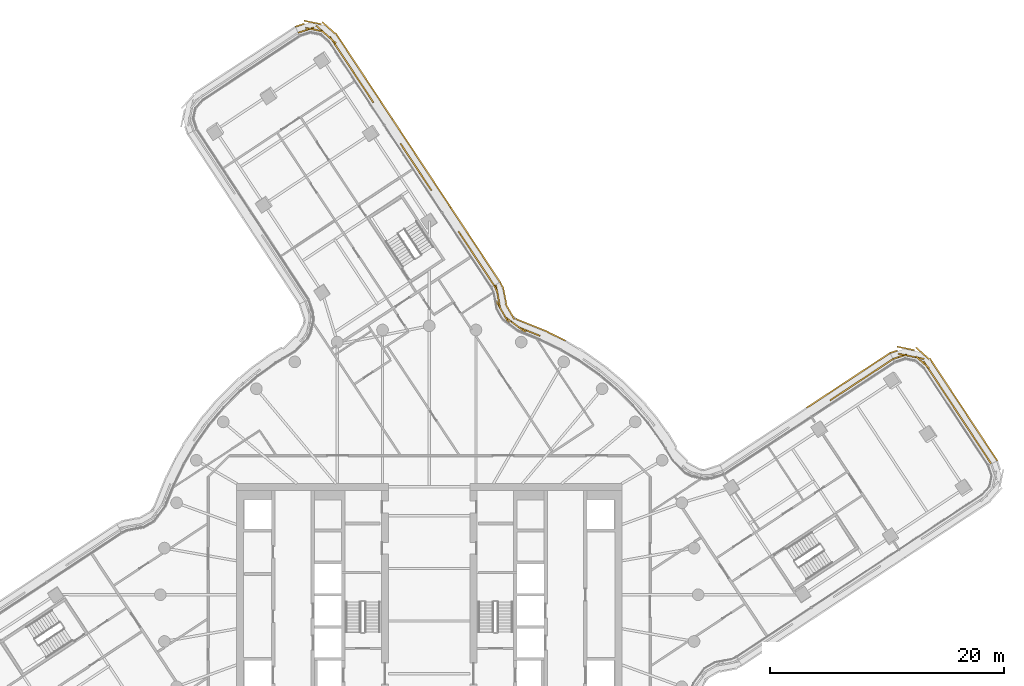
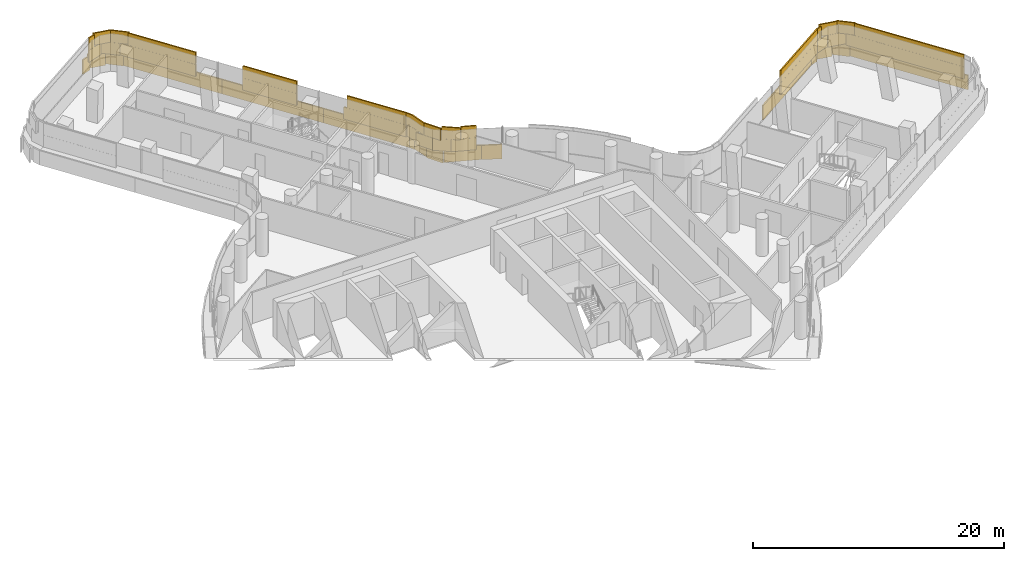
# One storey, part 35 of 35: 6 coverings.
"""IFC4 building model written with IfcOpenShell, lengths in metres."""

from ifc_helpers import new_model, si_unit, direction, frame, origin, origin_2d, place, context, subcontext, project, spatial, rectangle, extrude, material, layer, layer_set, type_object, element, save


model = new_model("IFC4")

# Units and contexts
model_context = context("Model", 3, precision=1e-05, world=origin(), true_north=direction((0.0, 1.0)))
body_context = subcontext(model_context, "Body", "Model", "MODEL_VIEW")
ifc_project = project(units=[si_unit("LENGTHUNIT", "METRE"), si_unit("AREAUNIT", "SQUARE_METRE"), si_unit("VOLUMEUNIT", "CUBIC_METRE"), si_unit("PLANEANGLEUNIT", "RADIAN"), si_unit("MASSUNIT", "GRAM", prefix="KILO")], contexts=[model_context])

# Site, building, storey
site_placement = place(None, origin())
site = spatial("IfcSite", under=ifc_project, at=site_placement, CompositionType="ELEMENT")
building_placement = place(site_placement, origin())
building = spatial("IfcBuilding", under=site, at=building_placement, Name="Tamarind Cross Interchange Tower", CompositionType="ELEMENT")
storey_placement = place(building_placement, frame((0.0, 0.0, 155.5)))
storey = spatial("IfcBuildingStorey", under=building, at=storey_placement, Name="L38", CompositionType="ELEMENT", Elevation=155.5)

# Coverings
ifc_material = material(Name="Terracotta", Category="masonry")
ifc_layer = layer(ifc_material, 0.1201171875)
ifc_layer_set = layer_set([ifc_layer], Name="Terracotta")
covering_type = type_object("IfcCoveringType", Name="Terracotta baguette screen unit", PredefinedType="MOLDING", material=ifc_layer_set)
covering_1_placement = place(storey_placement, origin())
element("IfcCovering", 1, at=covering_1_placement, inside=storey, type_object=covering_type, Name="SCR-L38-12-00", PredefinedType="MOLDING", context=body_context, shape_type="SweptSolid", body=[
    extrude(rectangle(XDim=1.510009765625, YDim=0.1201171875, at=origin_2d()), frame((47.65625, 11.831787109375, 1.404052734375), z_axis=(0.0, 0.0, 1.0), x_axis=(-0.550970225759, 0.834524900963, 0.0)), (0.0, 0.0, 1.0), 1.1669921875),
    extrude(rectangle(XDim=1.52001953125, YDim=0.1201171875, at=origin_2d()), frame((46.829833984375, 13.083740234375, 1.404052734375), z_axis=(0.0, 0.0, 1.0), x_axis=(-0.550970225759, 0.834524900963, 0.0)), (0.0, 0.0, 1.0), 1.1669921875),
    extrude(rectangle(XDim=1.52001953125, YDim=0.1201171875, at=origin_2d()), frame((46.00341796875, 14.33544921875, 1.404052734375), z_axis=(0.0, 0.0, 1.0), x_axis=(-0.550970225759, 0.834524900963, 0.0)), (0.0, 0.0, 1.0), 1.1669921875),
    extrude(rectangle(XDim=1.52001953125, YDim=0.1201171875, at=origin_2d()), frame((45.1767578125, 15.587158203125, 1.404052734375), z_axis=(0.0, 0.0, 1.0), x_axis=(-0.550970225759, 0.834524900963, 0.0)), (0.0, 0.0, 1.0), 1.1669921875),
    extrude(rectangle(XDim=1.52001953125, YDim=0.1201171875, at=origin_2d()), frame((44.350341796875, 16.8388671875, 1.404052734375), z_axis=(0.0, 0.0, 1.0), x_axis=(-0.550970225759, 0.834524900963, 0.0)), (0.0, 0.0, 1.0), 1.1669921875),
    extrude(rectangle(XDim=1.52001953125, YDim=0.1201171875, at=origin_2d()), frame((43.52392578125, 18.0908203125, 1.404052734375), z_axis=(0.0, 0.0, 1.0), x_axis=(-0.550970225759, 0.834524900963, 0.0)), (0.0, 0.0, 1.0), 1.1669921875),
    extrude(rectangle(XDim=1.52001953125, YDim=0.1201171875, at=origin_2d()), frame((42.697509765625, 19.342529296875, 1.404052734375), z_axis=(0.0, 0.0, 1.0), x_axis=(-0.550970225759, 0.834524900963, 0.0)), (0.0, 0.0, 1.0), 1.1669921875),
    extrude(rectangle(XDim=1.52001953125, YDim=0.1201171875, at=origin_2d()), frame((41.59326171875, 20.312744140625, 1.404052734375), z_axis=(0.0, 0.0, 1.0), x_axis=(-0.979692999406, 0.200503433674, 0.0)), (0.0, 0.0, 1.0), 1.1669921875),
    extrude(rectangle(XDim=1.259521484375, YDim=0.1201171875, at=origin_2d()), frame((40.26025390625, 20.35791015625, 1.404052734375), z_axis=(0.0, 0.0, 1.0), x_axis=(-0.948690742232, -0.316205432595, 0.0)), (0.0, 0.0, 1.0), 1.1669921875),
    extrude(rectangle(XDim=0.760009765625, YDim=0.1201171875, at=origin_2d()), frame((47.86279296875, 11.518798828125, 2.5791015625), z_axis=(0.0, 0.0, 1.0), x_axis=(-0.550970225759, 0.834524900963, 0.0)), (0.0, 0.0, 1.0), 1.1669921875),
    extrude(rectangle(XDim=1.52001953125, YDim=0.1201171875, at=origin_2d()), frame((47.242919921875, 12.457763671875, 2.5791015625), z_axis=(0.0, 0.0, 1.0), x_axis=(-0.550970225759, 0.834524900963, 0.0)), (0.0, 0.0, 1.0), 1.1669921875),
    extrude(rectangle(XDim=1.52001953125, YDim=0.1201171875, at=origin_2d()), frame((46.41650390625, 13.70947265625, 2.5791015625), z_axis=(0.0, 0.0, 1.0), x_axis=(-0.550970225759, 0.834524900963, 0.0)), (0.0, 0.0, 1.0), 1.1669921875),
    extrude(rectangle(XDim=1.52001953125, YDim=0.1201171875, at=origin_2d()), frame((45.590087890625, 14.96142578125, 2.5791015625), z_axis=(0.0, 0.0, 1.0), x_axis=(-0.550970225759, 0.834524900963, 0.0)), (0.0, 0.0, 1.0), 1.1669921875),
    extrude(rectangle(XDim=1.52001953125, YDim=0.1201171875, at=origin_2d()), frame((44.763671875, 16.213134765625, 2.5791015625), z_axis=(0.0, 0.0, 1.0), x_axis=(-0.550970225759, 0.834524900963, 0.0)), (0.0, 0.0, 1.0), 1.1669921875),
    extrude(rectangle(XDim=1.52001953125, YDim=0.1201171875, at=origin_2d()), frame((43.937255859375, 17.46484375, 2.5791015625), z_axis=(0.0, 0.0, 1.0), x_axis=(-0.550970225759, 0.834524900963, 0.0)), (0.0, 0.0, 1.0), 1.1669921875),
    extrude(rectangle(XDim=1.52001953125, YDim=0.1201171875, at=origin_2d()), frame((43.110595703125, 18.716552734375, 2.5791015625), z_axis=(0.0, 0.0, 1.0), x_axis=(-0.550970225759, 0.834524900963, 0.0)), (0.0, 0.0, 1.0), 1.1669921875),
    extrude(rectangle(XDim=1.52001953125, YDim=0.1201171875, at=origin_2d()), frame((42.1904296875, 19.886962890625, 2.5791015625), z_axis=(0.0, 0.0, 1.0), x_axis=(-0.748187308558, 0.663487566811, 0.0)), (0.0, 0.0, 1.0), 1.1669921875),
    extrude(rectangle(XDim=1.52001953125, YDim=0.1201171875, at=origin_2d()), frame((40.8583984375, 20.463134765625, 2.5791015625), z_axis=(0.0, 0.0, 1.0), x_axis=(-0.979692999406, 0.200503433674, 0.0)), (0.0, 0.0, 1.0), 1.1669921875),
    extrude(rectangle(XDim=0.509521484375, YDim=0.1201171875, at=origin_2d()), frame((39.904541015625, 20.2392578125, 2.5791015625), z_axis=(0.0, 0.0, 1.0), x_axis=(-0.948690742232, -0.316205432595, 0.0)), (0.0, 0.0, 1.0), 1.1669921875),
    extrude(rectangle(XDim=1.510009765625, YDim=0.1201171875, at=origin_2d()), frame((48.174072265625, 12.089111328125, 0.00390625), z_axis=(0.0, 0.0, 1.0), x_axis=(-0.550970225759, 0.834524900963, 0.0)), (0.0, 0.0, 1.0), 1.39208984375),
    extrude(rectangle(XDim=1.52001953125, YDim=0.1201171875, at=origin_2d()), frame((47.350341796875, 13.3369140625, 0.00390625), z_axis=(0.0, 0.0, 1.0), x_axis=(-0.550970225759, 0.834524900963, 0.0)), (0.0, 0.0, 1.0), 1.39208984375),
    extrude(rectangle(XDim=1.52001953125, YDim=0.1201171875, at=origin_2d()), frame((46.52392578125, 14.588623046875, 0.00390625), z_axis=(0.0, 0.0, 1.0), x_axis=(-0.550970225759, 0.834524900963, 0.0)), (0.0, 0.0, 1.0), 1.39208984375),
    extrude(rectangle(XDim=1.52001953125, YDim=0.1201171875, at=origin_2d()), frame((45.697509765625, 15.84033203125, 0.00390625), z_axis=(0.0, 0.0, 1.0), x_axis=(-0.550970225759, 0.834524900963, 0.0)), (0.0, 0.0, 1.0), 1.39208984375),
    extrude(rectangle(XDim=1.52001953125, YDim=0.1201171875, at=origin_2d()), frame((44.87109375, 17.09228515625, 0.00390625), z_axis=(0.0, 0.0, 1.0), x_axis=(-0.550970225759, 0.834524900963, 0.0)), (0.0, 0.0, 1.0), 1.39208984375),
    extrude(rectangle(XDim=1.52001953125, YDim=0.1201171875, at=origin_2d()), frame((44.044677734375, 18.343994140625, 0.00390625), z_axis=(0.0, 0.0, 1.0), x_axis=(-0.550970225759, 0.834524900963, 0.0)), (0.0, 0.0, 1.0), 1.39208984375),
    extrude(rectangle(XDim=1.52001953125, YDim=0.1201171875, at=origin_2d()), frame((43.218017578125, 19.595703125, 0.00390625), z_axis=(0.0, 0.0, 1.0), x_axis=(-0.550970225759, 0.834524900963, 0.0)), (0.0, 0.0, 1.0), 1.39208984375),
    extrude(rectangle(XDim=1.52001953125, YDim=0.1201171875, at=origin_2d()), frame((42.1796875, 20.66357421875, 0.00390625), z_axis=(0.0, 0.0, 1.0), x_axis=(-0.748187308558, 0.663487566811, 0.0)), (0.0, 0.0, 1.0), 1.39208984375),
    extrude(rectangle(XDim=1.52001953125, YDim=0.1201171875, at=origin_2d()), frame((40.76220703125, 21.06884765625, 0.00390625), z_axis=(0.0, 0.0, 1.0), x_axis=(-0.979692999406, 0.200503433674, 0.0)), (0.0, 0.0, 1.0), 1.39208984375),
    extrude(rectangle(XDim=0.676513671875, YDim=0.1201171875, at=origin_2d()), frame((39.73583984375, 20.7880859375, 0.00390625), z_axis=(0.0, 0.0, 1.0), x_axis=(-0.948690742232, -0.316205432595, 0.0)), (0.0, 0.0, 1.0), 1.39208984375),
])
covering_2_placement = place(storey_placement, origin())
element("IfcCovering", 2, at=covering_2_placement, inside=storey, type_object=covering_type, Name="SCR-L38-13-00", PredefinedType="MOLDING", context=body_context, shape_type="SweptSolid", body=[
    extrude(rectangle(XDim=1.510009765625, YDim=0.1201171875, at=origin_2d()), frame((39.040771484375, 19.748291015625, 1.404052734375), z_axis=(0.0, 0.0, 1.0), x_axis=(-0.835659570214, -0.549247742562, 0.0)), (0.0, 0.0, 1.0), 1.1669921875),
    extrude(rectangle(XDim=1.52001953125, YDim=0.1201171875, at=origin_2d()), frame((37.787353515625, 18.924560546875, 1.404052734375), z_axis=(0.0, 0.0, 1.0), x_axis=(-0.835659570214, -0.549247742562, 0.0)), (0.0, 0.0, 1.0), 1.1669921875),
    extrude(rectangle(XDim=1.52001953125, YDim=0.1201171875, at=origin_2d()), frame((36.53369140625, 18.1005859375, 1.404052734375), z_axis=(0.0, 0.0, 1.0), x_axis=(-0.835659570214, -0.549247742562, 0.0)), (0.0, 0.0, 1.0), 1.1669921875),
    extrude(rectangle(XDim=1.52001953125, YDim=0.1201171875, at=origin_2d()), frame((35.2802734375, 17.276611328125, 1.404052734375), z_axis=(0.0, 0.0, 1.0), x_axis=(-0.835659570214, -0.549247742562, 0.0)), (0.0, 0.0, 1.0), 1.1669921875),
    extrude(rectangle(XDim=0.449462890625, YDim=0.1201171875, at=origin_2d()), frame((34.469970703125, 16.744140625, 1.404052734375), z_axis=(0.0, 0.0, 1.0), x_axis=(-0.835659570214, -0.549247742562, 0.0)), (0.0, 0.0, 1.0), 1.1669921875),
    extrude(rectangle(XDim=0.760009765625, YDim=0.1201171875, at=origin_2d()), frame((39.354248046875, 19.954345703125, 2.5791015625), z_axis=(0.0, 0.0, 1.0), x_axis=(-0.835659570214, -0.549247742562, 0.0)), (0.0, 0.0, 1.0), 1.1669921875),
    extrude(rectangle(XDim=1.52001953125, YDim=0.1201171875, at=origin_2d()), frame((38.4140625, 19.33642578125, 2.5791015625), z_axis=(0.0, 0.0, 1.0), x_axis=(-0.835659570214, -0.549247742562, 0.0)), (0.0, 0.0, 1.0), 1.1669921875),
    extrude(rectangle(XDim=1.52001953125, YDim=0.1201171875, at=origin_2d()), frame((37.16064453125, 18.512451171875, 2.5791015625), z_axis=(0.0, 0.0, 1.0), x_axis=(-0.835659570214, -0.549247742562, 0.0)), (0.0, 0.0, 1.0), 1.1669921875),
    extrude(rectangle(XDim=1.52001953125, YDim=0.1201171875, at=origin_2d()), frame((35.906982421875, 17.688720703125, 2.5791015625), z_axis=(0.0, 0.0, 1.0), x_axis=(-0.835659570214, -0.549247742562, 0.0)), (0.0, 0.0, 1.0), 1.1669921875),
    extrude(rectangle(XDim=1.199462890625, YDim=0.1201171875, at=origin_2d()), frame((34.783203125, 16.949951171875, 2.5791015625), z_axis=(0.0, 0.0, 1.0), x_axis=(-0.835659570214, -0.549247742562, 0.0)), (0.0, 0.0, 1.0), 1.1669921875),
    extrude(rectangle(XDim=1.510009765625, YDim=0.1201171875, at=origin_2d()), frame((38.783935546875, 20.266357421875, 0.00390625), z_axis=(0.0, 0.0, 1.0), x_axis=(-0.835659570214, -0.549247742562, 0.0)), (0.0, 0.0, 1.0), 1.39208984375),
    extrude(rectangle(XDim=1.52001953125, YDim=0.1201171875, at=origin_2d()), frame((37.53466796875, 19.4453125, 0.00390625), z_axis=(0.0, 0.0, 1.0), x_axis=(-0.835659570214, -0.549247742562, 0.0)), (0.0, 0.0, 1.0), 1.39208984375),
    extrude(rectangle(XDim=1.52001953125, YDim=0.1201171875, at=origin_2d()), frame((36.28125, 18.621337890625, 0.00390625), z_axis=(0.0, 0.0, 1.0), x_axis=(-0.835659570214, -0.549247742562, 0.0)), (0.0, 0.0, 1.0), 1.39208984375),
    extrude(rectangle(XDim=1.52001953125, YDim=0.1201171875, at=origin_2d()), frame((35.027587890625, 17.797607421875, 0.00390625), z_axis=(0.0, 0.0, 1.0), x_axis=(-0.835659570214, -0.549247742562, 0.0)), (0.0, 0.0, 1.0), 1.39208984375),
    extrude(rectangle(XDim=1.52001953125, YDim=0.1201171875, at=origin_2d()), frame((33.774169921875, 16.9736328125, 0.00390625), z_axis=(0.0, 0.0, 1.0), x_axis=(-0.835659570214, -0.549247742562, 0.0)), (0.0, 0.0, 1.0), 1.39208984375),
    extrude(rectangle(XDim=1.04833984375, YDim=0.1201171875, at=origin_2d()), frame((32.7177734375, 16.279296875, 0.00390625), z_axis=(0.0, 0.0, 1.0), x_axis=(-0.835659570214, -0.549247742562, 0.0)), (0.0, 0.0, 1.0), 1.39208984375),
])
covering_3_placement = place(storey_placement, origin())
element("IfcCovering", 3, at=covering_3_placement, inside=storey, type_object=covering_type, Name="SCR-L38-14-01", PredefinedType="MOLDING", context=body_context, shape_type="SweptSolid", body=[
    extrude(rectangle(XDim=0.510986328125, YDim=0.1201171875, at=origin_2d()), frame((9.247802734375, 22.232177734375, 1.404052734375), z_axis=(0.0, 0.0, 1.0), x_axis=(-0.927983824399, 0.37262047938, 0.0)), (0.0, 0.0, 1.0), 1.1669921875),
    extrude(rectangle(XDim=1.52001953125, YDim=0.1201171875, at=origin_2d()), frame((8.3193359375, 22.60498046875, 1.404052734375), z_axis=(0.0, 0.0, 1.0), x_axis=(-0.927983824399, 0.37262047938, 0.0)), (0.0, 0.0, 1.0), 1.1669921875),
    extrude(rectangle(XDim=1.52001953125, YDim=0.1201171875, at=origin_2d()), frame((7.034912109375, 23.35498046875, 1.404052734375), z_axis=(0.0, 0.0, 1.0), x_axis=(-0.799546744237, 0.600603865938, 0.0)), (0.0, 0.0, 1.0), 1.1669921875),
    extrude(rectangle(XDim=1.52001953125, YDim=0.1201171875, at=origin_2d()), frame((6.09130859375, 24.4814453125, 1.404052734375), z_axis=(0.0, 0.0, 1.0), x_axis=(-0.496112184141, 0.868258429701, 0.0)), (0.0, 0.0, 1.0), 1.1669921875),
    extrude(rectangle(XDim=1.317138671875, YDim=0.1201171875, at=origin_2d()), frame((5.8154296875, 25.853759765625, 1.404052734375), z_axis=(0.0, 0.0, 1.0), x_axis=(-0.193059747584, 0.981187002494, 0.0)), (0.0, 0.0, 1.0), 1.1669921875),
    extrude(rectangle(XDim=1.260986328125, YDim=0.1201171875, at=origin_2d()), frame((8.89990234375, 22.3720703125, 2.5791015625), z_axis=(0.0, 0.0, 1.0), x_axis=(-0.927983824399, 0.37262047938, 0.0)), (0.0, 0.0, 1.0), 1.1669921875),
    extrude(rectangle(XDim=1.52001953125, YDim=0.1201171875, at=origin_2d()), frame((7.634521484375, 22.904541015625, 2.5791015625), z_axis=(0.0, 0.0, 1.0), x_axis=(-0.799546744237, 0.600603865938, 0.0)), (0.0, 0.0, 1.0), 1.1669921875),
    extrude(rectangle(XDim=1.52001953125, YDim=0.1201171875, at=origin_2d()), frame((6.46337890625, 23.830078125, 2.5791015625), z_axis=(0.0, 0.0, 1.0), x_axis=(-0.496112184141, 0.868258429701, 0.0)), (0.0, 0.0, 1.0), 1.1669921875),
    extrude(rectangle(XDim=1.52001953125, YDim=0.1201171875, at=origin_2d()), frame((5.93896484375, 25.2119140625, 2.5791015625), z_axis=(0.0, 0.0, 1.0), x_axis=(-0.173502866607, 0.984833364219, 0.0)), (0.0, 0.0, 1.0), 1.1669921875),
    extrude(rectangle(XDim=0.567138671875, YDim=0.1201171875, at=origin_2d()), frame((5.67919921875, 26.2001953125, 2.5791015625), z_axis=(0.0, 0.0, 1.0), x_axis=(-0.437329241463, 0.899301470343, 0.0)), (0.0, 0.0, 1.0), 1.1669921875),
    extrude(rectangle(XDim=0.1552734375, YDim=0.1201171875, at=origin_2d()), frame((11.5751953125, 21.771728515625, 0.00390625), z_axis=(0.0, 0.0, 1.0), x_axis=(-0.900272776334, 0.435326231914, 0.0)), (0.0, 0.0, 1.0), 1.39208984375),
    extrude(rectangle(XDim=1.52001953125, YDim=0.1201171875, at=origin_2d()), frame((10.839111328125, 22.127685546875, 0.00390625), z_axis=(0.0, 0.0, 1.0), x_axis=(-0.900272776334, 0.435326231914, 0.0)), (0.0, 0.0, 1.0), 1.39208984375),
    extrude(rectangle(XDim=1.52001953125, YDim=0.1201171875, at=origin_2d()), frame((9.478759765625, 22.758056640625, 0.00390625), z_axis=(0.0, 0.0, 1.0), x_axis=(-0.927983824399, 0.37262047938, 0.0)), (0.0, 0.0, 1.0), 1.39208984375),
    extrude(rectangle(XDim=1.52001953125, YDim=0.1201171875, at=origin_2d()), frame((8.086669921875, 23.31689453125, 0.00390625), z_axis=(0.0, 0.0, 1.0), x_axis=(-0.927983824399, 0.37262047938, 0.0)), (0.0, 0.0, 1.0), 1.39208984375),
    extrude(rectangle(XDim=1.52001953125, YDim=0.1201171875, at=origin_2d()), frame((6.90234375, 24.218994140625, 0.00390625), z_axis=(0.0, 0.0, 1.0), x_axis=(-0.496112184141, 0.868258429701, 0.0)), (0.0, 0.0, 1.0), 1.39208984375),
    extrude(rectangle(XDim=1.52001953125, YDim=0.1201171875, at=origin_2d()), frame((6.4453125, 25.625732421875, 0.00390625), z_axis=(0.0, 0.0, 1.0), x_axis=(-0.193059747584, 0.981187002494, 0.0)), (0.0, 0.0, 1.0), 1.39208984375),
    extrude(rectangle(XDim=0.445556640625, YDim=0.1201171875, at=origin_2d()), frame((6.154541015625, 26.535400390625, 0.00390625), z_axis=(0.0, 0.0, 1.0), x_axis=(-0.437329241463, 0.899301470343, 0.0)), (0.0, 0.0, 1.0), 1.39208984375),
])
covering_4_placement = place(storey_placement, origin())
element("IfcCovering", 4, at=covering_4_placement, inside=storey, type_object=covering_type, Name="SCR-L38-15-00", PredefinedType="MOLDING", context=body_context, shape_type="SweptSolid", body=[
    extrude(rectangle(XDim=1.510009765625, YDim=0.1201171875, at=origin_2d()), frame((5.14404296875, 27.07666015625, 1.404052734375), z_axis=(0.0, 0.0, 1.0), x_axis=(-0.550970225759, 0.834524900963, 0.0)), (0.0, 0.0, 1.0), 1.1669921875),
    extrude(rectangle(XDim=1.52001953125, YDim=0.1201171875, at=origin_2d()), frame((4.317626953125, 28.328369140625, 1.404052734375), z_axis=(0.0, 0.0, 1.0), x_axis=(-0.550970225759, 0.834524900963, 0.0)), (0.0, 0.0, 1.0), 1.1669921875),
    extrude(rectangle(XDim=1.52001953125, YDim=0.1201171875, at=origin_2d()), frame((3.4912109375, 29.580322265625, 1.404052734375), z_axis=(0.0, 0.0, 1.0), x_axis=(-0.550970225759, 0.834524900963, 0.0)), (0.0, 0.0, 1.0), 1.1669921875),
    extrude(rectangle(XDim=1.05712890625, YDim=0.1201171875, at=origin_2d()), frame((2.78955078125, 30.64306640625, 1.404052734375), z_axis=(0.0, 0.0, 1.0), x_axis=(-0.550970225759, 0.834524900963, 0.0)), (0.0, 0.0, 1.0), 1.1669921875),
    extrude(rectangle(XDim=0.760009765625, YDim=0.1201171875, at=origin_2d()), frame((5.350830078125, 26.763671875, 2.5791015625), z_axis=(0.0, 0.0, 1.0), x_axis=(-0.550970225759, 0.834524900963, 0.0)), (0.0, 0.0, 1.0), 1.1669921875),
    extrude(rectangle(XDim=1.52001953125, YDim=0.1201171875, at=origin_2d()), frame((4.73095703125, 27.70263671875, 2.5791015625), z_axis=(0.0, 0.0, 1.0), x_axis=(-0.550970225759, 0.834524900963, 0.0)), (0.0, 0.0, 1.0), 1.1669921875),
    extrude(rectangle(XDim=1.52001953125, YDim=0.1201171875, at=origin_2d()), frame((3.904541015625, 28.954345703125, 2.5791015625), z_axis=(0.0, 0.0, 1.0), x_axis=(-0.550970225759, 0.834524900963, 0.0)), (0.0, 0.0, 1.0), 1.1669921875),
    extrude(rectangle(XDim=1.52001953125, YDim=0.1201171875, at=origin_2d()), frame((3.077880859375, 30.2060546875, 2.5791015625), z_axis=(0.0, 0.0, 1.0), x_axis=(-0.550970225759, 0.834524900963, 0.0)), (0.0, 0.0, 1.0), 1.1669921875),
    extrude(rectangle(XDim=1.510009765625, YDim=0.1201171875, at=origin_2d()), frame((5.64111328125, 27.36572265625, 0.00390625), z_axis=(0.0, 0.0, 1.0), x_axis=(-0.550970225759, 0.834524900963, 0.0)), (0.0, 0.0, 1.0), 1.39208984375),
    extrude(rectangle(XDim=1.52001953125, YDim=0.1201171875, at=origin_2d()), frame((4.8173828125, 28.61328125, 0.00390625), z_axis=(0.0, 0.0, 1.0), x_axis=(-0.550970225759, 0.834524900963, 0.0)), (0.0, 0.0, 1.0), 1.39208984375),
    extrude(rectangle(XDim=1.52001953125, YDim=0.1201171875, at=origin_2d()), frame((3.990966796875, 29.865234375, 0.00390625), z_axis=(0.0, 0.0, 1.0), x_axis=(-0.550970225759, 0.834524900963, 0.0)), (0.0, 0.0, 1.0), 1.39208984375),
    extrude(rectangle(XDim=1.52001953125, YDim=0.1201171875, at=origin_2d()), frame((3.16455078125, 31.116943359375, 0.00390625), z_axis=(0.0, 0.0, 1.0), x_axis=(-0.550970225759, 0.834524900963, 0.0)), (0.0, 0.0, 1.0), 1.39208984375),
    extrude(rectangle(XDim=1.52001953125, YDim=0.1201171875, at=origin_2d()), frame((2.338134765625, 32.36865234375, 0.00390625), z_axis=(0.0, 0.0, 1.0), x_axis=(-0.550970225759, 0.834524900963, 0.0)), (0.0, 0.0, 1.0), 1.39208984375),
    extrude(rectangle(XDim=0.19140625, YDim=0.1201171875, at=origin_2d()), frame((1.877685546875, 33.066162109375, 0.00390625), z_axis=(0.0, 0.0, 1.0), x_axis=(-0.550970225759, 0.834524900963, 0.0)), (0.0, 0.0, 1.0), 1.39208984375),
])
covering_5_placement = place(storey_placement, origin())
element("IfcCovering", 5, at=covering_5_placement, inside=storey, type_object=covering_type, Name="SCR-L38-15-01", PredefinedType="MOLDING", context=body_context, shape_type="SweptSolid", body=[
    extrude(rectangle(XDim=0.762939453125, YDim=0.1201171875, at=origin_2d()), frame((-0.0205078125, 34.899169921875, 1.404052734375), z_axis=(0.0, 0.0, 1.0), x_axis=(-0.550970225759, 0.834524900963, 0.0)), (0.0, 0.0, 1.0), 1.1669921875),
    extrude(rectangle(XDim=1.52001953125, YDim=0.1201171875, at=origin_2d()), frame((-0.64111328125, 35.839111328125, 1.404052734375), z_axis=(0.0, 0.0, 1.0), x_axis=(-0.550970225759, 0.834524900963, 0.0)), (0.0, 0.0, 1.0), 1.1669921875),
    extrude(rectangle(XDim=1.52001953125, YDim=0.1201171875, at=origin_2d()), frame((-1.467529296875, 37.091064453125, 1.404052734375), z_axis=(0.0, 0.0, 1.0), x_axis=(-0.550970225759, 0.834524900963, 0.0)), (0.0, 0.0, 1.0), 1.1669921875),
    extrude(rectangle(XDim=1.0634765625, YDim=0.1201171875, at=origin_2d()), frame((-2.1708984375, 38.156494140625, 1.404052734375), z_axis=(0.0, 0.0, 1.0), x_axis=(-0.550970225759, 0.834524900963, 0.0)), (0.0, 0.0, 1.0), 1.1669921875),
    extrude(rectangle(XDim=1.52001953125, YDim=0.1201171875, at=origin_2d()), frame((-0.227783203125, 35.21337890625, 2.5791015625), z_axis=(0.0, 0.0, 1.0), x_axis=(-0.550970225759, 0.834524900963, 0.0)), (0.0, 0.0, 1.0), 1.1669921875),
    extrude(rectangle(XDim=1.52001953125, YDim=0.1201171875, at=origin_2d()), frame((-1.05419921875, 36.465087890625, 2.5791015625), z_axis=(0.0, 0.0, 1.0), x_axis=(-0.550970225759, 0.834524900963, 0.0)), (0.0, 0.0, 1.0), 1.1669921875),
    extrude(rectangle(XDim=1.52001953125, YDim=0.1201171875, at=origin_2d()), frame((-1.880859375, 37.716796875, 2.5791015625), z_axis=(0.0, 0.0, 1.0), x_axis=(-0.550970225759, 0.834524900963, 0.0)), (0.0, 0.0, 1.0), 1.1669921875),
    extrude(rectangle(XDim=0.3134765625, YDim=0.1201171875, at=origin_2d()), frame((-2.377685546875, 38.469482421875, 2.5791015625), z_axis=(0.0, 0.0, 1.0), x_axis=(-0.550970225759, 0.834524900963, 0.0)), (0.0, 0.0, 1.0), 1.1669921875),
    extrude(rectangle(XDim=1.32861328125, YDim=0.1201171875, at=origin_2d()), frame((1.458740234375, 33.700439453125, 0.00390625), z_axis=(0.0, 0.0, 1.0), x_axis=(-0.550970225759, 0.834524900963, 0.0)), (0.0, 0.0, 1.0), 1.39208984375),
    extrude(rectangle(XDim=1.52001953125, YDim=0.1201171875, at=origin_2d()), frame((0.68505859375, 34.872314453125, 0.00390625), z_axis=(0.0, 0.0, 1.0), x_axis=(-0.550970225759, 0.834524900963, 0.0)), (0.0, 0.0, 1.0), 1.39208984375),
    extrude(rectangle(XDim=1.52001953125, YDim=0.1201171875, at=origin_2d()), frame((-0.141357421875, 36.1240234375, 0.00390625), z_axis=(0.0, 0.0, 1.0), x_axis=(-0.550970225759, 0.834524900963, 0.0)), (0.0, 0.0, 1.0), 1.39208984375),
    extrude(rectangle(XDim=1.52001953125, YDim=0.1201171875, at=origin_2d()), frame((-0.9677734375, 37.375732421875, 0.00390625), z_axis=(0.0, 0.0, 1.0), x_axis=(-0.550970225759, 0.834524900963, 0.0)), (0.0, 0.0, 1.0), 1.39208984375),
    extrude(rectangle(XDim=1.52001953125, YDim=0.1201171875, at=origin_2d()), frame((-1.794189453125, 38.627685546875, 0.00390625), z_axis=(0.0, 0.0, 1.0), x_axis=(-0.550970225759, 0.834524900963, 0.0)), (0.0, 0.0, 1.0), 1.39208984375),
    extrude(rectangle(XDim=1.52001953125, YDim=0.1201171875, at=origin_2d()), frame((-2.62060546875, 39.87939453125, 0.00390625), z_axis=(0.0, 0.0, 1.0), x_axis=(-0.550970225759, 0.834524900963, 0.0)), (0.0, 0.0, 1.0), 1.39208984375),
    extrude(rectangle(XDim=0.23828125, YDim=0.1201171875, at=origin_2d()), frame((-3.093994140625, 40.596435546875, 0.00390625), z_axis=(0.0, 0.0, 1.0), x_axis=(-0.550970225759, 0.834524900963, 0.0)), (0.0, 0.0, 1.0), 1.39208984375),
])
covering_6_placement = place(storey_placement, origin())
element("IfcCovering", 6, at=covering_6_placement, inside=storey, type_object=covering_type, Name="SCR-L38-15-02", PredefinedType="MOLDING", context=body_context, shape_type="SweptSolid", body=[
    extrude(rectangle(XDim=0.756591796875, YDim=0.1201171875, at=origin_2d()), frame((-4.98095703125, 42.41259765625, 1.404052734375), z_axis=(0.0, 0.0, 1.0), x_axis=(-0.550970225759, 0.834524900963, 0.0)), (0.0, 0.0, 1.0), 1.1669921875),
    extrude(rectangle(XDim=1.52001953125, YDim=0.1201171875, at=origin_2d()), frame((-5.599853515625, 43.349853515625, 1.404052734375), z_axis=(0.0, 0.0, 1.0), x_axis=(-0.550970225759, 0.834524900963, 0.0)), (0.0, 0.0, 1.0), 1.1669921875),
    extrude(rectangle(XDim=1.52001953125, YDim=0.1201171875, at=origin_2d()), frame((-6.42626953125, 44.601806640625, 1.404052734375), z_axis=(0.0, 0.0, 1.0), x_axis=(-0.550970225759, 0.834524900963, 0.0)), (0.0, 0.0, 1.0), 1.1669921875),
    extrude(rectangle(XDim=1.52001953125, YDim=0.1201171875, at=origin_2d()), frame((-7.252685546875, 45.853515625, 1.404052734375), z_axis=(0.0, 0.0, 1.0), x_axis=(-0.550970225759, 0.834524900963, 0.0)), (0.0, 0.0, 1.0), 1.1669921875),
    extrude(rectangle(XDim=1.52001953125, YDim=0.1201171875, at=origin_2d()), frame((-8.0791015625, 47.105224609375, 1.404052734375), z_axis=(0.0, 0.0, 1.0), x_axis=(-0.550970225759, 0.834524900963, 0.0)), (0.0, 0.0, 1.0), 1.1669921875),
    extrude(rectangle(XDim=1.52001953125, YDim=0.1201171875, at=origin_2d()), frame((-9.11279296875, 48.17724609375, 1.404052734375), z_axis=(0.0, 0.0, 1.0), x_axis=(-0.748187308558, 0.663487566811, 0.0)), (0.0, 0.0, 1.0), 1.1669921875),
    extrude(rectangle(XDim=1.435302734375, YDim=0.1201171875, at=origin_2d()), frame((-10.52978515625, 48.294677734375, 1.404052734375), z_axis=(0.0, 0.0, 1.0), x_axis=(-0.948690742232, -0.316205432595, 0.0)), (0.0, 0.0, 1.0), 1.1669921875),
    extrude(rectangle(XDim=1.506591796875, YDim=0.1201171875, at=origin_2d()), frame((-5.1875, 42.7255859375, 2.5791015625), z_axis=(0.0, 0.0, 1.0), x_axis=(-0.550970225759, 0.834524900963, 0.0)), (0.0, 0.0, 1.0), 1.1669921875),
    extrude(rectangle(XDim=1.52001953125, YDim=0.1201171875, at=origin_2d()), frame((-6.012939453125, 43.975830078125, 2.5791015625), z_axis=(0.0, 0.0, 1.0), x_axis=(-0.550970225759, 0.834524900963, 0.0)), (0.0, 0.0, 1.0), 1.1669921875),
    extrude(rectangle(XDim=1.52001953125, YDim=0.1201171875, at=origin_2d()), frame((-6.839599609375, 45.2275390625, 2.5791015625), z_axis=(0.0, 0.0, 1.0), x_axis=(-0.550970225759, 0.834524900963, 0.0)), (0.0, 0.0, 1.0), 1.1669921875),
    extrude(rectangle(XDim=1.52001953125, YDim=0.1201171875, at=origin_2d()), frame((-7.666015625, 46.4794921875, 2.5791015625), z_axis=(0.0, 0.0, 1.0), x_axis=(-0.550970225759, 0.834524900963, 0.0)), (0.0, 0.0, 1.0), 1.1669921875),
    extrude(rectangle(XDim=1.52001953125, YDim=0.1201171875, at=origin_2d()), frame((-8.5517578125, 47.6796875, 2.5791015625), z_axis=(0.0, 0.0, 1.0), x_axis=(-0.748187308558, 0.663487566811, 0.0)), (0.0, 0.0, 1.0), 1.1669921875),
    extrude(rectangle(XDim=1.52001953125, YDim=0.1201171875, at=origin_2d()), frame((-9.8427734375, 48.337158203125, 2.5791015625), z_axis=(0.0, 0.0, 1.0), x_axis=(-0.979692999406, 0.200503433674, 0.0)), (0.0, 0.0, 1.0), 1.1669921875),
    extrude(rectangle(XDim=0.685302734375, YDim=0.1201171875, at=origin_2d()), frame((-10.8857421875, 48.17626953125, 2.5791015625), z_axis=(0.0, 0.0, 1.0), x_axis=(-0.948690742232, -0.316205432595, 0.0)), (0.0, 0.0, 1.0), 1.1669921875),
    extrude(rectangle(XDim=1.28173828125, YDim=0.1201171875, at=origin_2d()), frame((-3.5126953125, 41.230712890625, 0.00390625), z_axis=(0.0, 0.0, 1.0), x_axis=(-0.550970225759, 0.834524900963, 0.0)), (0.0, 0.0, 1.0), 1.39208984375),
    extrude(rectangle(XDim=1.52001953125, YDim=0.1201171875, at=origin_2d()), frame((-4.273681640625, 42.383056640625, 0.00390625), z_axis=(0.0, 0.0, 1.0), x_axis=(-0.550970225759, 0.834524900963, 0.0)), (0.0, 0.0, 1.0), 1.39208984375),
    extrude(rectangle(XDim=1.52001953125, YDim=0.1201171875, at=origin_2d()), frame((-5.10009765625, 43.634765625, 0.00390625), z_axis=(0.0, 0.0, 1.0), x_axis=(-0.550970225759, 0.834524900963, 0.0)), (0.0, 0.0, 1.0), 1.39208984375),
    extrude(rectangle(XDim=1.52001953125, YDim=0.1201171875, at=origin_2d()), frame((-5.926513671875, 44.886474609375, 0.00390625), z_axis=(0.0, 0.0, 1.0), x_axis=(-0.550970225759, 0.834524900963, 0.0)), (0.0, 0.0, 1.0), 1.39208984375),
    extrude(rectangle(XDim=1.52001953125, YDim=0.1201171875, at=origin_2d()), frame((-6.7529296875, 46.138427734375, 0.00390625), z_axis=(0.0, 0.0, 1.0), x_axis=(-0.550970225759, 0.834524900963, 0.0)), (0.0, 0.0, 1.0), 1.39208984375),
    extrude(rectangle(XDim=1.52001953125, YDim=0.1201171875, at=origin_2d()), frame((-7.579345703125, 47.39013671875, 0.00390625), z_axis=(0.0, 0.0, 1.0), x_axis=(-0.550970225759, 0.834524900963, 0.0)), (0.0, 0.0, 1.0), 1.39208984375),
    extrude(rectangle(XDim=1.52001953125, YDim=0.1201171875, at=origin_2d()), frame((-8.5908203125, 48.481689453125, 0.00390625), z_axis=(0.0, 0.0, 1.0), x_axis=(-0.748187308558, 0.663487566811, 0.0)), (0.0, 0.0, 1.0), 1.39208984375),
    extrude(rectangle(XDim=1.52001953125, YDim=0.1201171875, at=origin_2d()), frame((-9.976318359375, 48.950439453125, 0.00390625), z_axis=(0.0, 0.0, 1.0), x_axis=(-0.979692999406, 0.200503433674, 0.0)), (0.0, 0.0, 1.0), 1.39208984375),
    extrude(rectangle(XDim=0.814697265625, YDim=0.1201171875, at=origin_2d()), frame((-11.07275390625, 48.718994140625, 0.00390625), z_axis=(0.0, 0.0, 1.0), x_axis=(-0.948690742232, -0.316205432595, 0.0)), (0.0, 0.0, 1.0), 1.39208984375),
])

save(model, "model.ifc")
